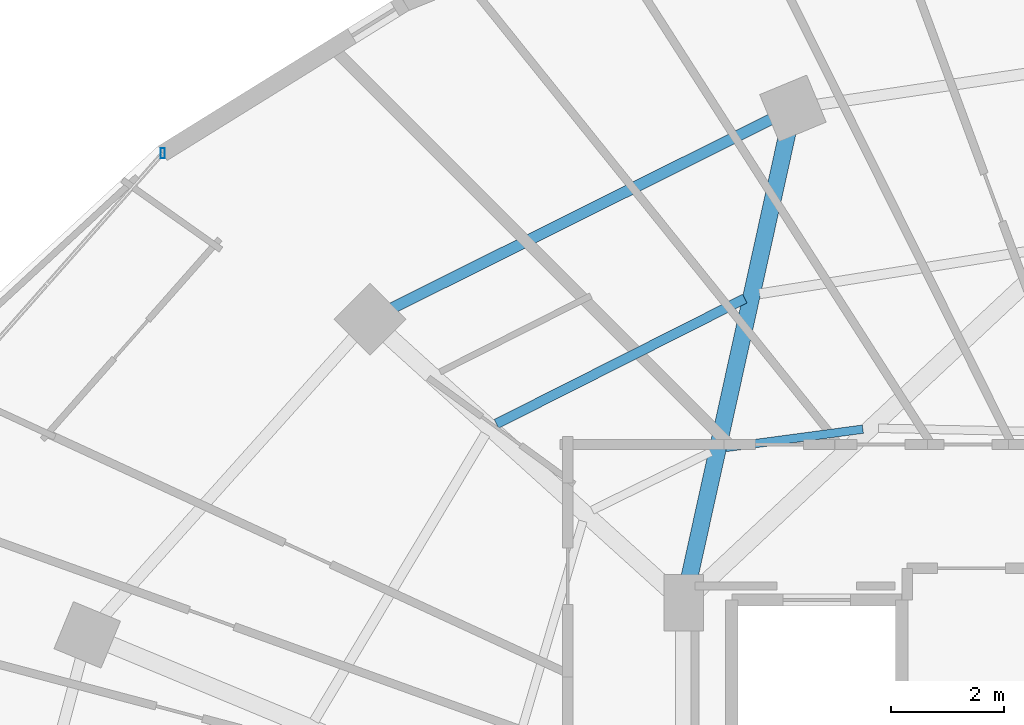
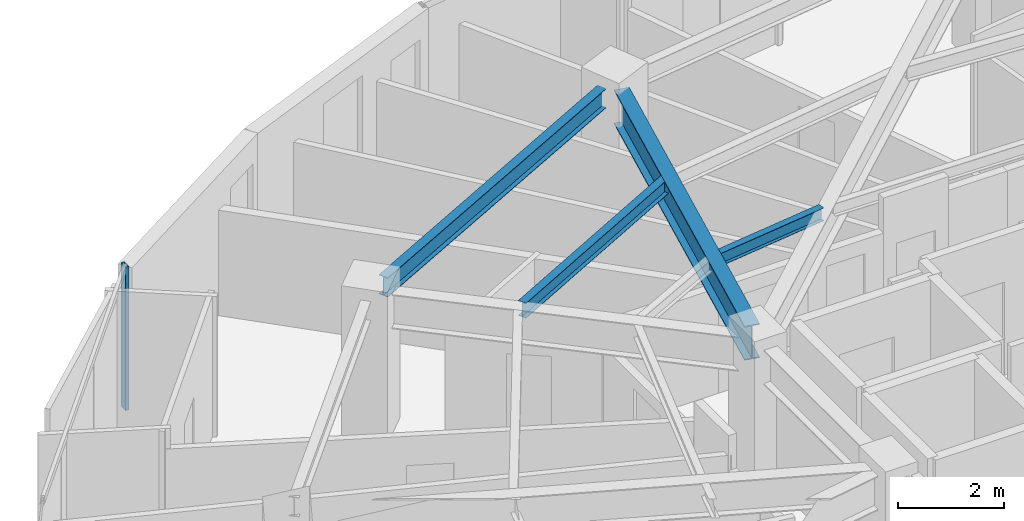
# One storey, part 17 of 34: 4 beams, 1 member, 1 element without a shape of its own.
"""IFC4 building model written with IfcOpenShell, lengths in metres."""

from ifc_helpers import new_model, si_unit, direction, frame, origin, origin_2d, place, context, subcontext, project, spatial, hollow_rectangle, i_section, extrude, material, material_profile, profile_set, type_object, element, aggregate, save


model = new_model("IFC4")

# Units and contexts
model_context = context("Model", 3, precision=1e-05, world=origin(), true_north=direction((0.0, 1.0)))
body_context = subcontext(model_context, "Body", "Model", "MODEL_VIEW")
ifc_project = project(units=[si_unit("LENGTHUNIT", "METRE"), si_unit("AREAUNIT", "SQUARE_METRE"), si_unit("VOLUMEUNIT", "CUBIC_METRE"), si_unit("PLANEANGLEUNIT", "RADIAN"), si_unit("MASSUNIT", "GRAM", prefix="KILO")], contexts=[model_context])

# Site, building, storey
site_placement = place(None, origin())
site = spatial("IfcSite", under=ifc_project, at=site_placement, CompositionType="ELEMENT")
building_placement = place(site_placement, origin())
building = spatial("IfcBuilding", under=site, at=building_placement, Name="Vorneva Point Tower", CompositionType="ELEMENT")
storey_placement = place(building_placement, frame((0.0, 0.0, 186.10009765625)))
storey = spatial("IfcBuildingStorey", under=building, at=storey_placement, Name="L50", CompositionType="ELEMENT", Elevation=186.10009765625)

# Beams
ifc_material_1 = material(Name="Steel S355", Category="steel")
ifc_material_profile_1 = material_profile(ifc_material_1, i_section(OverallWidth=0.300048828125, OverallDepth=0.7880859375, WebThickness=0.014404296875, FlangeThickness=0.02197265625, at=origin_2d()), Name="80Sh1")
ifc_profile_set_1 = profile_set([ifc_material_profile_1], Name="Steel S355")
beam_type_1 = type_object("IfcBeamType", Name="BM-GRD-80Sh1", PredefinedType="USERDEFINED", material=ifc_profile_set_1)
beam_1_placement = place(storey_placement, frame((29.084716796875, 41.462890625, 2.845947265625), z_axis=(-0.215522758292, -0.976498817541, 0.0), x_axis=(0.976498817541, -0.215522758292, 0.0)))
element("IfcBeam", 1, at=beam_1_placement, inside=storey, type_object=beam_type_1, Name="L50 Radial Primary Girder 06", ObjectType="GIRDER", PredefinedType="USERDEFINED", context=body_context, shape_type="SweptSolid", body=[
    extrude(i_section(OverallWidth=0.300048828125, OverallDepth=0.7880859375, WebThickness=0.014404296875, FlangeThickness=0.02197265625, at=origin_2d()), origin(), (0.0, 0.0, 1.0), 8.173095703125),
])
ifc_material_profile_2 = material_profile(ifc_material_1, i_section(OverallWidth=0.14892578125, OverallDepth=0.298095703125, WebThickness=0.005615234375, FlangeThickness=0.008056640625, at=origin_2d()), Name="30B1")
ifc_profile_set_2 = profile_set([ifc_material_profile_2], Name="Steel S355")
beam_type_2 = type_object("IfcBeamType", Name="BM-JST-30B1", PredefinedType="JOIST", material=ifc_profile_set_2)
beam_2_placement = place(storey_placement, frame((30.416015625, 36.219482421875, 3.0908203125), z_axis=(-0.991158988789, -0.132679534756, 0.0), x_axis=(0.132679534756, -0.991158988789, 0.0)))
element("IfcBeam", 2, at=beam_2_placement, inside=storey, type_object=beam_type_2, Name="L50 Secondary Floor Beam 2.05", PredefinedType="JOIST", context=body_context, shape_type="SweptSolid", body=[
    extrude(i_section(OverallWidth=0.14892578125, OverallDepth=0.298095703125, WebThickness=0.005615234375, FlangeThickness=0.008056640625, at=origin_2d()), origin(), (0.0, 0.0, 1.0), 2.44921875),
])
ifc_material_profile_3 = material_profile(ifc_material_1, i_section(OverallWidth=0.174072265625, OverallDepth=0.345947265625, WebThickness=0.006103515625, FlangeThickness=0.009033203125, at=origin_2d()), Name="35B1")
ifc_profile_set_3 = profile_set([ifc_material_profile_3], Name="Steel S355")
beam_type_3 = type_object("IfcBeamType", Name="BM-SEC-35B1", PredefinedType="BEAM", material=ifc_profile_set_3)
beam_3_placement = place(storey_placement, frame((28.327392578125, 38.527587890625, 3.06689453125), z_axis=(-0.89285196268, -0.450350277827, 0.0), x_axis=(0.450350277827, -0.89285196268, 0.0)))
element("IfcBeam", 3, at=beam_3_placement, inside=storey, type_object=beam_type_3, Name="L50 Secondary Floor Beam 1.06", PredefinedType="BEAM", context=body_context, shape_type="SweptSolid", body=[
    extrude(i_section(OverallWidth=0.174072265625, OverallDepth=0.345947265625, WebThickness=0.006103515625, FlangeThickness=0.009033203125, at=origin_2d()), origin(), (0.0, 0.0, 1.0), 4.914794921875),
])
ifc_material_profile_4 = material_profile(ifc_material_1, i_section(OverallWidth=0.198974609375, OverallDepth=0.446044921875, WebThickness=0.008056640625, FlangeThickness=0.011962890625, at=origin_2d()), Name="45B1")
ifc_profile_set_4 = profile_set([ifc_material_profile_4], Name="Steel S355")
beam_type_4 = type_object("IfcBeamType", Name="BM-SPN-45B1", PredefinedType="SPANDREL", material=ifc_profile_set_4)
beam_4_placement = place(storey_placement, frame((28.789794921875, 41.696533203125, 3.016845703125), z_axis=(-0.894922371084, -0.446221861559, 0.0), x_axis=(0.446221861559, -0.894922371084, 0.0)))
element("IfcBeam", 4, at=beam_4_placement, inside=storey, type_object=beam_type_4, Name="L50 Perimeter Spandrel Ring Beam 06", PredefinedType="SPANDREL", context=body_context, shape_type="SweptSolid", body=[
    extrude(i_section(OverallWidth=0.198974609375, OverallDepth=0.446044921875, WebThickness=0.008056640625, FlangeThickness=0.011962890625, at=origin_2d()), origin(), (0.0, 0.0, 1.0), 7.48583984375),
])

# Curtain wall, member
ifc_material_2 = material(Name="Pale anodised aluminium", Category="aluminium")
curtain_wall_type = type_object("IfcCurtainWallType", Name="CW-RES-SYS", PredefinedType="NOTDEFINED", material=ifc_material_2)
curtain_wall_placement = place(storey_placement, origin())
curtain_wall = element("IfcCurtainWall", 5, at=curtain_wall_placement, inside=storey, type_object=curtain_wall_type, Name="L50 Unitised Curtain Wall CW-L50-R02", PredefinedType="NOTDEFINED")
ifc_material_profile_5 = material_profile(ifc_material_2, hollow_rectangle(XDim=0.074951171875, YDim=0.179931640625, WallThickness=0.00390625, at=origin_2d()), Name="AL-MUL 180x75x4")
ifc_profile_set_5 = profile_set([ifc_material_profile_5], Name="Pale anodised aluminium")
member_type = type_object("IfcMemberType", Name="CW-MUL-180", PredefinedType="MULLION", material=ifc_profile_set_5)
member_placement = place(storey_placement, frame((18.038330078125, 41.0966796875, -0.0400390625), z_axis=(0.0, 0.0, 1.0), x_axis=(1.0, 0.0, 0.0)))
member = element("IfcMember", 6, at=member_placement, type_object=member_type, Name="CW-L50-R02 Mullion 01", PredefinedType="MULLION", context=body_context, shape_type="SweptSolid", body=[
    extrude(hollow_rectangle(XDim=0.074951171875, YDim=0.179931640625, WallThickness=0.00390625, at=origin_2d()), origin(), (0.0, 0.0, 1.0), 3.31005859375),
])
aggregate(curtain_wall, [member])

save(model, "model.ifc")
